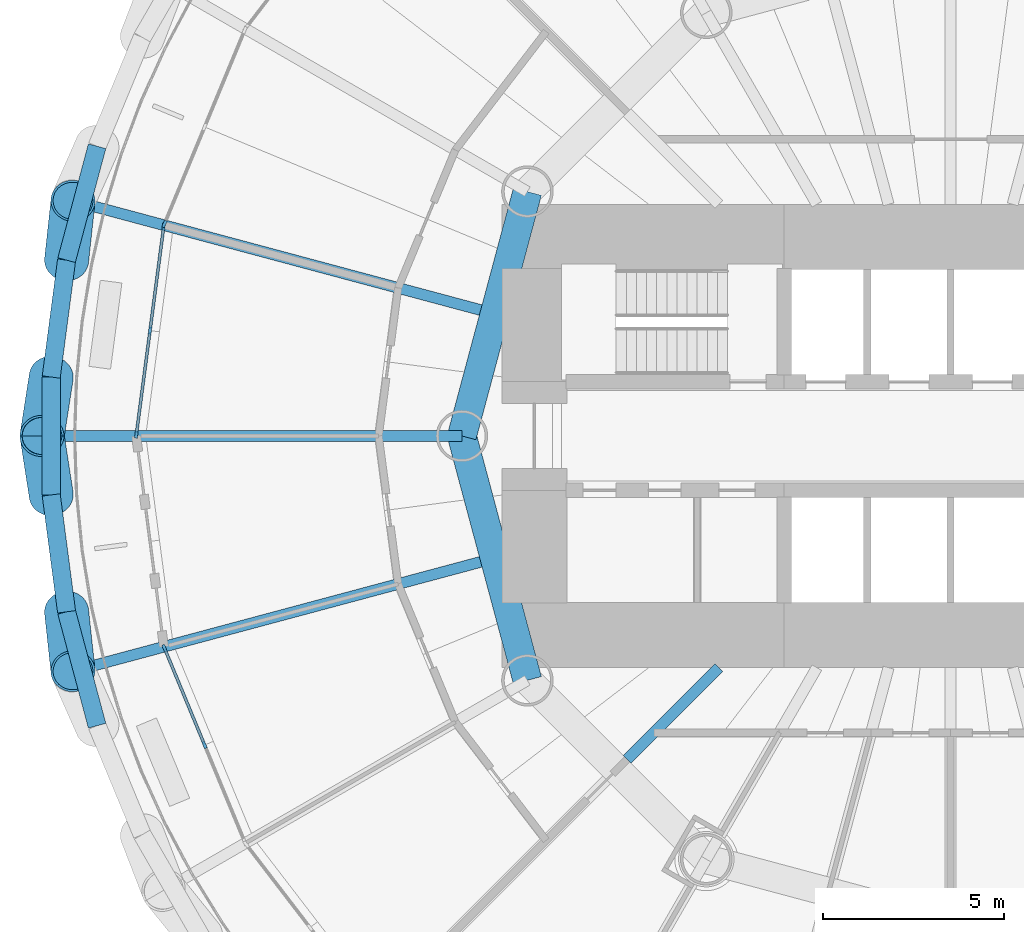
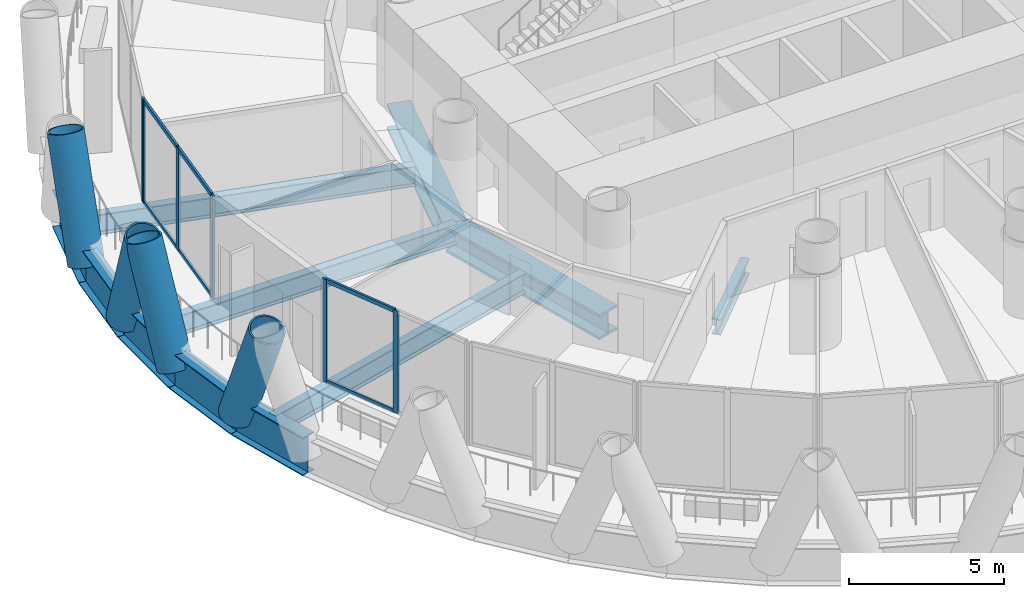
# One storey, part 3 of 16: 16 members, 11 beams, 3 elements without a shape of their own.
"""IFC4 building model written with IfcOpenShell, lengths in metres."""

from ifc_helpers import new_model, si_unit, direction, frame, origin, origin_2d, place, context, subcontext, project, spatial, rectangle, hollow_circle, i_section, extrude, material, material_profile, profile_set, type_object, element, aggregate, save


model = new_model("IFC4")

# Units and contexts
model_context = context("Model", 3, precision=1e-05, world=origin(), true_north=direction((0.0, 1.0)))
body_context = subcontext(model_context, "Body", "Model", "MODEL_VIEW")
ifc_project = project(units=[si_unit("LENGTHUNIT", "METRE"), si_unit("AREAUNIT", "SQUARE_METRE"), si_unit("VOLUMEUNIT", "CUBIC_METRE"), si_unit("PLANEANGLEUNIT", "RADIAN"), si_unit("MASSUNIT", "GRAM", prefix="KILO")], contexts=[model_context])

# Site, building, storey
site_placement = place(None, origin())
site = spatial("IfcSite", under=ifc_project, at=site_placement, CompositionType="ELEMENT")
building_placement = place(site_placement, origin())
building = spatial("IfcBuilding", under=site, at=building_placement, Name="Qaws Media Tower", CompositionType="ELEMENT")
storey_placement = place(building_placement, frame((0.0, 0.0, 55.39990234375)))
storey = spatial("IfcBuildingStorey", under=building, at=storey_placement, Name="L11", CompositionType="ELEMENT", Elevation=55.39990234375)

# Curtain wall, member
ifc_material_1 = material(Name="Aluminium and clear glass", Category="aluminium")
curtain_wall_type = type_object("IfcCurtainWallType", Name="Unitised curtain wall CW-A", PredefinedType="NOTDEFINED", material=ifc_material_1)
curtain_wall_1_placement = place(storey_placement, origin())
curtain_wall_1 = element("IfcCurtainWall", 1, at=curtain_wall_1_placement, inside=storey, type_object=curtain_wall_type, Name="CWA curtain wall L11-11", PredefinedType="NOTDEFINED")
ifc_material_2 = material(Name="Aluminium mullion", Category="aluminium")
ifc_material_profile_1 = material_profile(ifc_material_2, rectangle(XDim=0.080078125, YDim=0.199951171875, at=origin_2d()), Name="80x200")
ifc_profile_set_1 = profile_set([ifc_material_profile_1], Name="Aluminium mullion")
member_type_1 = type_object("IfcMemberType", Name="Curtain wall mullion 80x200", PredefinedType="MULLION", material=ifc_profile_set_1)
member_1_placement = place(storey_placement, frame((38.281982421875, 55.8603515625, 0.0), z_axis=(0.0, 0.0, 1.0), x_axis=(0.923879550892, -0.38268338799, 0.0)))
member_1 = element("IfcMember", 2, at=member_1_placement, type_object=member_type_1, Name="CWA mullion 3", PredefinedType="MULLION", context=body_context, shape_type="SweptSolid", body=[
    extrude(rectangle(XDim=0.080078125, YDim=0.199951171875, at=origin_2d()), origin(), (0.0, 0.0, 1.0), 4.0400390625),
])
aggregate(curtain_wall_1, [member_1])

# Curtain wall, members
curtain_wall_2_placement = place(storey_placement, origin())
curtain_wall_2 = element("IfcCurtainWall", 3, at=curtain_wall_2_placement, inside=storey, type_object=curtain_wall_type, Name="CWA curtain wall L11-12", PredefinedType="NOTDEFINED")
member_2_placement = place(storey_placement, frame((38.261474609375, 55.78369140625, 0.0), z_axis=(0.0, 0.0, 1.0), x_axis=(0.991444860766, -0.13052619684, 0.0)))
member_2 = element("IfcMember", 4, at=member_2_placement, type_object=member_type_1, Name="CWA mullion 1", PredefinedType="MULLION", context=body_context, shape_type="SweptSolid", body=[
    extrude(rectangle(XDim=0.080078125, YDim=0.199951171875, at=origin_2d()), origin(), (0.0, 0.0, 1.0), 4.0400390625),
])
member_3_placement = place(storey_placement, frame((37.88330078125, 52.91162109375, 0.0), z_axis=(0.0, 0.0, 1.0), x_axis=(0.991444860766, -0.13052619684, 0.0)))
member_3 = element("IfcMember", 5, at=member_3_placement, type_object=member_type_1, Name="CWA mullion 2", PredefinedType="MULLION", context=body_context, shape_type="SweptSolid", body=[
    extrude(rectangle(XDim=0.080078125, YDim=0.199951171875, at=origin_2d()), origin(), (0.0, 0.0, 1.0), 4.0400390625),
])
member_4_placement = place(storey_placement, frame((37.505126953125, 50.03955078125, 0.0), z_axis=(0.0, 0.0, 1.0), x_axis=(0.991444860766, -0.13052619684, 0.0)))
member_4 = element("IfcMember", 6, at=member_4_placement, type_object=member_type_1, Name="CWA mullion 3", PredefinedType="MULLION", context=body_context, shape_type="SweptSolid", body=[
    extrude(rectangle(XDim=0.080078125, YDim=0.199951171875, at=origin_2d()), origin(), (0.0, 0.0, 1.0), 4.0400390625),
])

curtain_wall_3_placement = place(storey_placement, origin())
curtain_wall_3 = element("IfcCurtainWall", 7, at=curtain_wall_3_placement, inside=storey, type_object=curtain_wall_type, Name="CWA curtain wall L11-14", PredefinedType="NOTDEFINED")
member_5_placement = place(storey_placement, frame((38.281982421875, 44.1396484375, 0.0), z_axis=(0.0, 0.0, 1.0), x_axis=(0.923879550892, 0.38268338799, 0.0)))
member_5 = element("IfcMember", 8, at=member_5_placement, type_object=member_type_1, Name="CWA mullion 1", PredefinedType="MULLION", context=body_context, shape_type="SweptSolid", body=[
    extrude(rectangle(XDim=0.080078125, YDim=0.199951171875, at=origin_2d()), origin(), (0.0, 0.0, 1.0), 4.0400390625),
])
member_6_placement = place(storey_placement, frame((39.390625, 41.46337890625, 0.0), z_axis=(0.0, 0.0, 1.0), x_axis=(0.923879550892, 0.38268338799, 0.0)))
member_6 = element("IfcMember", 9, at=member_6_placement, type_object=member_type_1, Name="CWA mullion 2", PredefinedType="MULLION", context=body_context, shape_type="SweptSolid", body=[
    extrude(rectangle(XDim=0.080078125, YDim=0.199951171875, at=origin_2d()), origin(), (0.0, 0.0, 1.0), 4.0400390625),
])

# Member
ifc_material_3 = material(Name="Aluminium transom", Category="aluminium")
ifc_material_profile_2 = material_profile(ifc_material_3, rectangle(XDim=0.080078125, YDim=0.159912109375, at=origin_2d()), Name="80x160")
ifc_profile_set_2 = profile_set([ifc_material_profile_2], Name="Aluminium transom")
member_type_2 = type_object("IfcMemberType", Name="Curtain wall transom 80x160", PredefinedType="USERDEFINED", material=ifc_profile_set_2)
member_7_placement = place(storey_placement, frame((38.25634765625, 55.744140625, 0.0400390625), z_axis=(-0.130528499327, -0.991444557635, 0.0), x_axis=(0.991444557635, -0.130528499327, 0.0)))
member_7 = element("IfcMember", 10, at=member_7_placement, type_object=member_type_2, Name="CWA transom 1.1", ObjectType="TRANSOM", PredefinedType="USERDEFINED", context=body_context, shape_type="SweptSolid", body=[
    extrude(rectangle(XDim=0.080078125, YDim=0.159912109375, at=origin_2d()), origin(), (0.0, 0.0, 1.0), 2.81689453125),
])

member_8_placement = place(storey_placement, frame((38.25634765625, 55.744140625, 4.0), z_axis=(-0.130528499327, -0.991444557635, 0.0), x_axis=(0.991444557635, -0.130528499327, 0.0)))
member_8 = element("IfcMember", 11, at=member_8_placement, type_object=member_type_2, Name="CWA transom 1.2", ObjectType="TRANSOM", PredefinedType="USERDEFINED", context=body_context, shape_type="SweptSolid", body=[
    extrude(rectangle(XDim=0.080078125, YDim=0.159912109375, at=origin_2d()), origin(), (0.0, 0.0, 1.0), 2.81689453125),
])

member_9_placement = place(storey_placement, frame((37.878173828125, 52.8720703125, 0.0400390625), z_axis=(-0.130528499327, -0.991444557635, 0.0), x_axis=(0.991444557635, -0.130528499327, 0.0)))
member_9 = element("IfcMember", 12, at=member_9_placement, type_object=member_type_2, Name="CWA transom 2.1", ObjectType="TRANSOM", PredefinedType="USERDEFINED", context=body_context, shape_type="SweptSolid", body=[
    extrude(rectangle(XDim=0.080078125, YDim=0.159912109375, at=origin_2d()), origin(), (0.0, 0.0, 1.0), 2.81689453125),
])

member_10_placement = place(storey_placement, frame((37.878173828125, 52.8720703125, 4.0), z_axis=(-0.130528499327, -0.991444557635, 0.0), x_axis=(0.991444557635, -0.130528499327, 0.0)))
member_10 = element("IfcMember", 13, at=member_10_placement, type_object=member_type_2, Name="CWA transom 2.2", ObjectType="TRANSOM", PredefinedType="USERDEFINED", context=body_context, shape_type="SweptSolid", body=[
    extrude(rectangle(XDim=0.080078125, YDim=0.159912109375, at=origin_2d()), origin(), (0.0, 0.0, 1.0), 2.81689453125),
])

aggregate(curtain_wall_2, [member_2, member_3, member_4, member_7, member_8, member_9, member_10])

member_11_placement = place(storey_placement, frame((38.29736328125, 44.1025390625, 0.0400390625), z_axis=(0.382675859369, -0.923882669313, 0.0), x_axis=(0.923882669313, 0.382675859369, 0.0)))
member_11 = element("IfcMember", 14, at=member_11_placement, type_object=member_type_2, Name="CWA transom 1.1", ObjectType="TRANSOM", PredefinedType="USERDEFINED", context=body_context, shape_type="SweptSolid", body=[
    extrude(rectangle(XDim=0.080078125, YDim=0.159912109375, at=origin_2d()), origin(), (0.0, 0.0, 1.0), 2.816650390625),
])

member_12_placement = place(storey_placement, frame((38.29736328125, 44.1025390625, 4.0), z_axis=(0.382675859369, -0.923882669313, 0.0), x_axis=(0.923882669313, 0.382675859369, 0.0)))
member_12 = element("IfcMember", 15, at=member_12_placement, type_object=member_type_2, Name="CWA transom 1.2", ObjectType="TRANSOM", PredefinedType="USERDEFINED", context=body_context, shape_type="SweptSolid", body=[
    extrude(rectangle(XDim=0.080078125, YDim=0.159912109375, at=origin_2d()), origin(), (0.0, 0.0, 1.0), 2.816650390625),
])

aggregate(curtain_wall_3, [member_5, member_6, member_11, member_12])

# Members
ifc_material_4 = material(Name="Steel S460", Category="steel")
ifc_material_profile_3 = material_profile(ifc_material_4, hollow_circle(Radius=0.609619140625, WallThickness=0.06005859375, at=origin_2d()), Name="CHS 1219x60")
ifc_profile_set_3 = profile_set([ifc_material_profile_3], Name="Steel S460")
member_type_3 = type_object("IfcMemberType", Name="Diagrid member CHS 1219x60", PredefinedType="USERDEFINED", material=ifc_profile_set_3)
for number, where, z_axis, x_axis, name in (
    (16, (35.1533203125, 51.62841796875, -0.909912109375), (-0.056168900823, -0.360931183514, 0.930899422788), (0.988106466928, -0.153771291255, 0.0), "DG1 diagrid L11 A12"),
    (17, (35.578369140625, 54.857666015625, -0.909912109375), (0.039231063086, 0.363198476456, 0.930885487259), (-0.994216882769, 0.107390828368, 0.0), "DG1 diagrid L11 B12"),
    (18, (35.578369140625, 45.142333984375, -0.909912109375), (0.039231063086, -0.363198476456, 0.930885487259), (0.994216882769, 0.107390828368, 0.0), "DG1 diagrid L11 A13"),
    (19, (35.1533203125, 48.37158203125, -0.909912109375), (-0.056168900823, 0.360931183514, 0.930899422788), (-0.988106466928, -0.153771291255, 0.0), "DG1 diagrid L11 B13"),
):
    element("IfcMember", number, at=place(storey_placement, frame(where, z_axis=z_axis, x_axis=x_axis)), inside=storey, type_object=member_type_3, Name=name, ObjectType="DIAGRID", PredefinedType="USERDEFINED", context=body_context, shape_type="SweptSolid", body=[
        extrude(hollow_circle(Radius=0.609619140625, WallThickness=0.06005859375, at=origin_2d()), origin(), (0.0, 0.0, 1.0), 4.51171875),
    ])

# Beams
ifc_material_5 = material(Name="Steel S460", Category="steel")
ifc_material_profile_4 = material_profile(ifc_material_5, i_section(OverallWidth=0.5, OverallDepth=1.5, WebThickness=0.02001953125, FlangeThickness=0.0400390625, at=origin_2d()), Name="PG 1500x500")
ifc_profile_set_4 = profile_set([ifc_material_profile_4], Name="Steel S460")
beam_type_1 = type_object("IfcBeamType", Name="Edge ring beam PG 1500x500", PredefinedType="BEAM", material=ifc_profile_set_4)
beam_1_placement = place(storey_placement, frame((36.42138671875, 58.00390625, -0.909912109375), z_axis=(-0.258814762224, -0.965926973873, 0.0), x_axis=(0.965926973873, -0.258814762224, 0.0)))
element("IfcBeam", 20, at=beam_1_placement, inside=storey, type_object=beam_type_1, Name="RB4 edge ring beam L11-22", PredefinedType="BEAM", context=body_context, shape_type="SweptSolid", body=[
    extrude(i_section(OverallWidth=0.5, OverallDepth=1.5, WebThickness=0.02001953125, FlangeThickness=0.0400390625, at=origin_2d()), origin(), (0.0, 0.0, 1.0), 3.25732421875),
])
beam_2_placement = place(storey_placement, frame((35.578369140625, 54.857666015625, -0.909912109375), z_axis=(-0.130499108697, -0.991448426611, 0.0), x_axis=(0.991448426611, -0.130499108697, 0.0)))
element("IfcBeam", 21, at=beam_2_placement, inside=storey, type_object=beam_type_1, Name="RB4 edge ring beam L11-23", PredefinedType="BEAM", context=body_context, shape_type="SweptSolid", body=[
    extrude(i_section(OverallWidth=0.5, OverallDepth=1.5, WebThickness=0.02001953125, FlangeThickness=0.0400390625, at=origin_2d()), origin(), (0.0, 0.0, 1.0), 3.257080078125),
])
beam_3_placement = place(storey_placement, frame((35.1533203125, 51.62841796875, -0.909912109375), z_axis=(0.0, -1.0, 0.0), x_axis=(1.0, 0.0, 0.0)))
element("IfcBeam", 22, at=beam_3_placement, inside=storey, type_object=beam_type_1, Name="RB4 edge ring beam L11-24", PredefinedType="BEAM", context=body_context, shape_type="SweptSolid", body=[
    extrude(i_section(OverallWidth=0.5, OverallDepth=1.5, WebThickness=0.02001953125, FlangeThickness=0.0400390625, at=origin_2d()), origin(), (0.0, 0.0, 1.0), 3.2568359375),
])
beam_4_placement = place(storey_placement, frame((35.1533203125, 48.37158203125, -0.909912109375), z_axis=(0.130499108697, -0.991448426611, 0.0), x_axis=(0.991448426611, 0.130499108697, 0.0)))
element("IfcBeam", 23, at=beam_4_placement, inside=storey, type_object=beam_type_1, Name="RB4 edge ring beam L11-25", PredefinedType="BEAM", context=body_context, shape_type="SweptSolid", body=[
    extrude(i_section(OverallWidth=0.5, OverallDepth=1.5, WebThickness=0.02001953125, FlangeThickness=0.0400390625, at=origin_2d()), origin(), (0.0, 0.0, 1.0), 3.257080078125),
])
beam_5_placement = place(storey_placement, frame((35.578369140625, 45.142333984375, -0.909912109375), z_axis=(0.258814762224, -0.965926973873, 0.0), x_axis=(0.965926973873, 0.258814762224, 0.0)))
element("IfcBeam", 24, at=beam_5_placement, inside=storey, type_object=beam_type_1, Name="RB4 edge ring beam L11-26", PredefinedType="BEAM", context=body_context, shape_type="SweptSolid", body=[
    extrude(i_section(OverallWidth=0.5, OverallDepth=1.5, WebThickness=0.02001953125, FlangeThickness=0.0400390625, at=origin_2d()), origin(), (0.0, 0.0, 1.0), 3.25732421875),
])
ifc_material_6 = material(Name="Steel S460", Category="steel")
ifc_material_profile_5 = material_profile(ifc_material_6, i_section(OverallWidth=0.800048828125, OverallDepth=1.0, WebThickness=0.0400390625, FlangeThickness=0.10009765625, at=origin_2d()), Name="PG 1000x800")
ifc_profile_set_5 = profile_set([ifc_material_profile_5], Name="Steel S460")
beam_type_2 = type_object("IfcBeamType", Name="Inner ring girder PG 1000x800", PredefinedType="BEAM", material=ifc_profile_set_5)
for number, where, z_axis, x_axis, name in (
    (25, (48.30859375, 56.75, -0.659912109375), (-0.258810593767, -0.965928090778, 0.0), (0.965928090778, -0.258810593767, 0.0), "B3 inner ring beam L11 I06-I07"),
    (26, (46.5, 50.0, -0.659912109375), (0.258810593767, -0.965928090778, 0.0), (0.965928090778, 0.258810593767, 0.0), "B3 inner ring beam L11 I07-I08"),
):
    element("IfcBeam", number, at=place(storey_placement, frame(where, z_axis=z_axis, x_axis=x_axis)), inside=storey, type_object=beam_type_2, Name=name, PredefinedType="BEAM", context=body_context, shape_type="SweptSolid", body=[
        extrude(i_section(OverallWidth=0.800048828125, OverallDepth=1.0, WebThickness=0.0400390625, FlangeThickness=0.10009765625, at=origin_2d()), origin(), (0.0, 0.0, 1.0), 6.988037109375),
    ])
ifc_material_7 = material(Name="Steel S355", Category="steel")
ifc_material_profile_6 = material_profile(ifc_material_7, i_section(OverallWidth=0.304931640625, OverallDepth=0.6201171875, WebThickness=0.02099609375, FlangeThickness=0.0400390625, FilletRadius=0.027099609375, at=origin_2d()), Name="HE 600 M")
ifc_profile_set_6 = profile_set([ifc_material_profile_6], Name="Steel S355")
beam_type_3 = type_object("IfcBeamType", Name="Radial beam HE 600 M, core side", PredefinedType="BEAM", material=ifc_profile_set_6)
beam_6_placement = place(storey_placement, frame((53.60009765625, 43.60009765625, -0.469970703125), z_axis=(-0.707106781187, -0.707106781187, 0.0), x_axis=(0.707106781187, -0.707106781187, 0.0)))
element("IfcBeam", 27, at=beam_6_placement, inside=storey, type_object=beam_type_3, Name="B2 radial beam L11 16", PredefinedType="BEAM", context=body_context, shape_type="SweptSolid", body=[
    extrude(i_section(OverallWidth=0.304931640625, OverallDepth=0.6201171875, WebThickness=0.02099609375, FlangeThickness=0.0400390625, FilletRadius=0.027099609375, at=origin_2d()), origin(), (0.0, 0.0, 1.0), 3.589111328125),
])
ifc_material_8 = material(Name="Steel S355", Category="steel")
ifc_material_profile_7 = material_profile(ifc_material_8, i_section(OverallWidth=0.300048828125, OverallDepth=0.800048828125, WebThickness=0.017578125, FlangeThickness=0.032958984375, FilletRadius=0.030029296875, at=origin_2d()), Name="HE 800 B")
ifc_profile_set_7 = profile_set([ifc_material_profile_7], Name="Steel S355")
beam_type_4 = type_object("IfcBeamType", Name="Radial beam HE 800 B", PredefinedType="BEAM", material=ifc_profile_set_7)
beam_7_placement = place(storey_placement, frame((47.01806640625, 53.478515625, -0.559814453125), z_axis=(-0.965923402633, 0.258828090141, 0.0), x_axis=(-0.258828090141, -0.965923402633, 0.0)))
element("IfcBeam", 28, at=beam_7_placement, inside=storey, type_object=beam_type_4, Name="B1 radial beam L11 12", PredefinedType="BEAM", context=body_context, shape_type="SweptSolid", body=[
    extrude(i_section(OverallWidth=0.300048828125, OverallDepth=0.800048828125, WebThickness=0.017578125, FlangeThickness=0.032958984375, FilletRadius=0.030029296875, at=origin_2d()), origin(), (0.0, 0.0, 1.0), 11.40673828125),
])
beam_8_placement = place(storey_placement, frame((46.5, 50.0, -0.559814453125), z_axis=(-1.0, 0.0, 0.0), x_axis=(0.0, -1.0, 0.0)))
element("IfcBeam", 29, at=beam_8_placement, inside=storey, type_object=beam_type_4, Name="B1 radial beam L11 13", PredefinedType="BEAM", context=body_context, shape_type="SweptSolid", body=[
    extrude(i_section(OverallWidth=0.300048828125, OverallDepth=0.800048828125, WebThickness=0.017578125, FlangeThickness=0.032958984375, FilletRadius=0.030029296875, at=origin_2d()), origin(), (0.0, 0.0, 1.0), 11.3466796875),
])
beam_9_placement = place(storey_placement, frame((47.01806640625, 46.521484375, -0.559814453125), z_axis=(-0.965923402633, -0.258828090141, 0.0), x_axis=(0.258828090141, -0.965923402633, 0.0)))
element("IfcBeam", 30, at=beam_9_placement, inside=storey, type_object=beam_type_4, Name="B1 radial beam L11 14", PredefinedType="BEAM", context=body_context, shape_type="SweptSolid", body=[
    extrude(i_section(OverallWidth=0.300048828125, OverallDepth=0.800048828125, WebThickness=0.017578125, FlangeThickness=0.032958984375, FilletRadius=0.030029296875, at=origin_2d()), origin(), (0.0, 0.0, 1.0), 11.40673828125),
])

save(model, "model.ifc")
